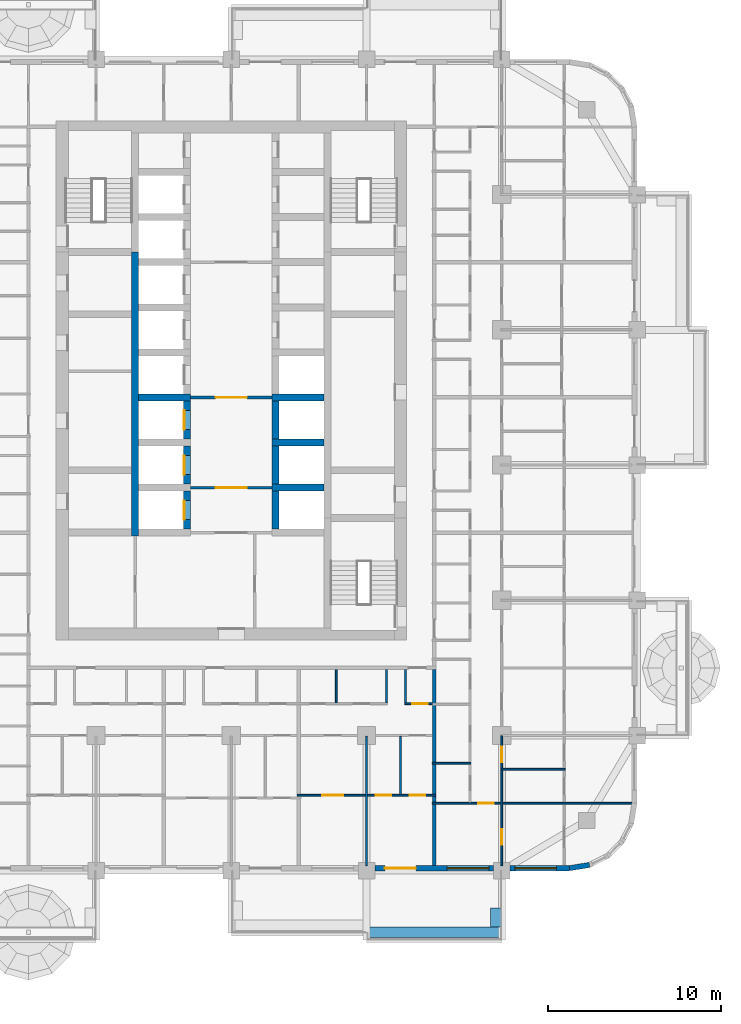
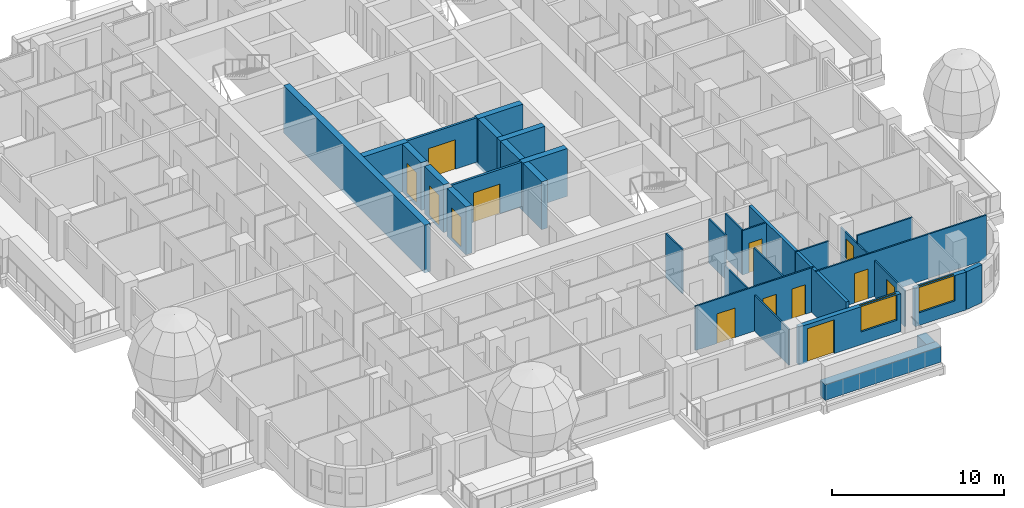
# One storey, part 7 of 19: 30 walls, 13 doors, 2 windows, 15 openings.
"""IFC4 building model written with IfcOpenShell, lengths in metres."""

import ifcopenshell
import ifcopenshell.guid

model = None  # the IFC model being written
_history = None  # IfcOwnerHistory: only IFC2X3 demands one
_inside = {}  # id of a spatial element -> (the spatial element, [elements in it])
_under = {}  # id of a project, library or spatial element -> (it, [spatial elements below it])
_declared = {}  # id of a project -> (the project, [libraries it declares])
_typed = {}  # id of a type object -> (the type object, [elements of that type])
_made_of = {}  # id of a material, layer set ... -> (it, [elements and type objects made of it])


def new_model(schema):
    """Start an empty IFC model of exactly this schema.

    Asked for "IFC4X3", IfcOpenShell would pick the latest addendum, in which some entities
    have other attributes; the version numbers below select the first issue.
    IFC2X3 requires an IfcOwnerHistory on every rooted entity: one is made here for all.
    """
    global model, _history
    if schema == "IFC4X3":
        model = ifcopenshell.file(schema_version=(4, 3, 0, 0))
    else:
        model = ifcopenshell.file(schema=schema)
    _inside.clear()
    _under.clear()
    _declared.clear()
    _typed.clear()
    _made_of.clear()
    _history = None
    if model.schema == "IFC2X3":
        org = make("IfcOrganization", Name="unknown")
        user = make(
            "IfcPersonAndOrganization",
            ThePerson=make("IfcPerson", FamilyName="unknown"),
            TheOrganization=org,
        )
        app = make(
            "IfcApplication",
            ApplicationDeveloper=org,
            Version="unknown",
            ApplicationFullName="unknown",
            ApplicationIdentifier="unknown",
        )
        _history = make(
            "IfcOwnerHistory",
            OwningUser=user,
            OwningApplication=app,
            ChangeAction="ADDED",
            CreationDate=0,
        )
    return model


def make(cls, **values):
    """One entity of the class cls with the attributes given. An attribute that is None is left unset."""
    return model.create_entity(
        cls, **{name: value for name, value in values.items() if value is not None}
    )


def rooted(cls, **values):
    """An entity with a GlobalId (a new one), such as an element, a storey or a relation."""
    return make(cls, GlobalId=ifcopenshell.guid.new(), OwnerHistory=_history, **values)


def si_unit(unit_type, name, prefix=None):
    """IfcSIUnit, for example si_unit("LENGTHUNIT", "METRE", prefix="MILLI")."""
    return make("IfcSIUnit", UnitType=unit_type, Prefix=prefix, Name=name)


def assignment(units):
    """IfcUnitAssignment: the units of a project."""
    return None if units is None else make("IfcUnitAssignment", Units=units)


def point(xyz):
    """IfcCartesianPoint."""
    return None if xyz is None else make("IfcCartesianPoint", Coordinates=xyz)


def direction(xyz):
    """IfcDirection."""
    return None if xyz is None else make("IfcDirection", DirectionRatios=xyz)


def frame(location, z_axis=None, x_axis=None):
    """IfcAxis2Placement3D, a coordinate frame: its origin and axes. An axis left out is left unset."""
    return make(
        "IfcAxis2Placement3D",
        Location=point(location),
        Axis=direction(z_axis),
        RefDirection=direction(x_axis),
    )


def frame_2d(location, x_axis=None):
    """IfcAxis2Placement2D, a coordinate frame in the plane: its origin and x axis."""
    return make(
        "IfcAxis2Placement2D", Location=point(location), RefDirection=direction(x_axis)
    )


def origin():
    """The frame at (0, 0, 0) with its axes left unset."""
    return frame((0.0, 0.0, 0.0))


def place(relative_to, where):
    """IfcLocalPlacement: puts the frame where relative to a parent placement (None: the world)."""
    return make(
        "IfcLocalPlacement", PlacementRelTo=relative_to, RelativePlacement=where
    )


def context(
    kind, dimensions, precision=None, world=None, true_north=None, identifier=None
):
    """IfcGeometricRepresentationContext, for example the 3D "Model" context."""
    return make(
        "IfcGeometricRepresentationContext",
        ContextIdentifier=identifier,
        ContextType=kind,
        CoordinateSpaceDimension=dimensions,
        Precision=precision,
        WorldCoordinateSystem=world,
        TrueNorth=true_north,
    )


def subcontext(parent, identifier, kind, view, scale=None):
    """IfcGeometricRepresentationSubContext, for example "Body" below "Model"."""
    return make(
        "IfcGeometricRepresentationSubContext",
        ContextIdentifier=identifier,
        ContextType=kind,
        ParentContext=parent,
        TargetScale=scale,
        TargetView=view,
    )


def project(units=None, contexts=None):
    """IfcProject with its units and contexts."""
    return rooted(
        "IfcProject",
        Name="project",
        RepresentationContexts=contexts,
        UnitsInContext=assignment(units),
    )


def spatial(cls, under=None, at=None, **own):
    """A site, building, storey or space (cls), placed at a placement, below another one or the project."""
    s = rooted(cls, ObjectPlacement=at, **own)
    if under is not None:
        _under.setdefault(under.id(), (under, []))[1].append(s)
    return s


def profile(cls, at=None, kind="AREA", **sizes):
    """A parametric profile (cls). Its sizes go by their IFC names, for example OverallWidth=200.0."""
    return make(cls, ProfileType=kind, Position=at, **sizes)


def rectangle(**sizes):
    """IfcRectangleProfileDef."""
    return profile("IfcRectangleProfileDef", **sizes)


def extrude(swept, where, along, depth):
    """IfcExtrudedAreaSolid: the profile swept, set in the frame where, extruded along a direction by depth."""
    return make(
        "IfcExtrudedAreaSolid",
        SweptArea=swept,
        Position=where,
        ExtrudedDirection=direction(along),
        Depth=depth,
    )


def shape(context_of_items, identifier, shape_type, items):
    """IfcShapeRepresentation: the items that make up one representation, for example the "Body"."""
    return make(
        "IfcShapeRepresentation",
        ContextOfItems=context_of_items,
        RepresentationIdentifier=identifier,
        RepresentationType=shape_type,
        Items=items,
    )


def material(Name=None, Category=None):
    """IfcMaterial."""
    return make("IfcMaterial", Name=Name, Category=Category)


def layer(
    of_material, thickness, ventilated=None, Name=None, Category=None, Priority=None
):
    """IfcMaterialLayer: one layer of a wall or slab, of a material (None: an air gap)."""
    return make(
        "IfcMaterialLayer",
        Material=of_material,
        LayerThickness=thickness,
        IsVentilated=ventilated,
        Name=Name,
        Category=Category,
        Priority=Priority,
    )


def layer_set(layers, Name=None):
    """IfcMaterialLayerSet."""
    return make("IfcMaterialLayerSet", MaterialLayers=layers, LayerSetName=Name)


def made_of(thing, what):
    """Note that an element or type object is made of a material, layer set ...; save() writes the relation."""
    if what is not None:
        _made_of.setdefault(what.id(), (what, []))[1].append(thing)
    return thing


def type_object(cls, material=None, **own):
    """A type object (cls), such as IfcWallType, which elements share."""
    return made_of(rooted(cls, **own), material)


def element(
    cls,
    number,
    at=None,
    inside=None,
    cuts=None,
    type_object=None,
    material=None,
    context=None,
    identifier="Body",
    shape_type=None,
    held_by="IfcProductDefinitionShape",
    body=None,
    shapes=None,
    **own,
):
    """One element of the class cls, such as IfcWall. Its Tag is "e" and its number.

    at: its placement. inside: the storey or other place that contains it. cuts: it is an
    opening in that element (IfcRelVoidsElement). A single representation is given by context,
    identifier, shape_type and body (its items); several are given by shapes. held_by: the class
    of the entity that holds the representations. save() writes the other relations.
    """
    e = rooted(cls, Tag="e%d" % number, ObjectPlacement=at, **own)
    if body is not None:
        shapes = [shape(context, identifier, shape_type, body)]
    if shapes is not None:
        e.Representation = make(held_by, Representations=shapes)
    if inside is not None:
        _inside.setdefault(inside.id(), (inside, []))[1].append(e)
    if cuts is not None:
        rooted(
            "IfcRelVoidsElement", RelatingBuildingElement=cuts, RelatedOpeningElement=e
        )
    if type_object is not None:
        _typed.setdefault(type_object.id(), (type_object, []))[1].append(e)
    return made_of(e, material)


def fill(opening, filler):
    """IfcRelFillsElement: the door or window that sits in an opening."""
    return rooted(
        "IfcRelFillsElement",
        RelatingOpeningElement=opening,
        RelatedBuildingElement=filler,
    )


def aggregate(whole, parts):
    """IfcRelAggregates: a whole, such as a stair, and the parts it consists of."""
    return rooted("IfcRelAggregates", RelatingObject=whole, RelatedObjects=parts)


def save(model, path):
    """Write the relations noted so far, then the file.

    IfcRelAggregates (storeys below a building ...), IfcRelContainedInSpatialStructure (elements
    in a storey), IfcRelDefinesByType, IfcRelAssociatesMaterial and IfcRelDeclares: one each for
    every whole, place, type object, material and project.
    """
    for whole, parts in _under.values():
        aggregate(whole, parts)
    for where, things in _inside.values():
        rooted(
            "IfcRelContainedInSpatialStructure",
            RelatedElements=things,
            RelatingStructure=where,
        )
    for kind, things in _typed.values():
        rooted("IfcRelDefinesByType", RelatedObjects=things, RelatingType=kind)
    for what, things in _made_of.values():
        rooted("IfcRelAssociatesMaterial", RelatedObjects=things, RelatingMaterial=what)
    for by, libraries in _declared.values():
        rooted("IfcRelDeclares", RelatingContext=by, RelatedDefinitions=libraries)
    model.write(path)


model = new_model("IFC4")

# Units and contexts
model_context = context("Model", 3, precision=1e-05, world=origin(), true_north=direction((0.0, 1.0)))
body_context = subcontext(model_context, "Body", "Model", "MODEL_VIEW")
ifc_project = project(units=[si_unit("LENGTHUNIT", "METRE"), si_unit("AREAUNIT", "SQUARE_METRE"), si_unit("VOLUMEUNIT", "CUBIC_METRE"), si_unit("PLANEANGLEUNIT", "RADIAN"), si_unit("MASSUNIT", "GRAM", prefix="KILO")], contexts=[model_context])

# Site, building, storey
site_placement = place(None, origin())
site = spatial("IfcSite", under=ifc_project, at=site_placement, CompositionType="ELEMENT")
building_placement = place(site_placement, origin())
building = spatial("IfcBuilding", under=site, at=building_placement, Name="Ludao Terraces", CompositionType="ELEMENT")
storey_placement = place(building_placement, frame((0.0, 0.0, 81.800048828125)))
storey = spatial("IfcBuildingStorey", under=building, at=storey_placement, Name="L22", CompositionType="ELEMENT", Elevation=81.800048828125)

# Walls
ifc_material_1 = material(Name="Concrete C40", Category="concrete")
ifc_layer_1 = layer(ifc_material_1, 0.60009765625)
ifc_layer_set_1 = layer_set([ifc_layer_1], Name="ENV Planter trough 600")
wall_type_1 = type_object("IfcWallType", Name="ENV Planter trough 600", PredefinedType="USERDEFINED", material=ifc_layer_set_1)
wall_1_placement = place(storey_placement, frame((92.800048828125, 38.050048828125, 0.0), z_axis=(0.0, 0.0, 1.0), x_axis=(1.0, 0.0, 0.0)))
element("IfcWall", 1, at=wall_1_placement, inside=storey, type_object=wall_type_1, Name="PL-L22-S4", ObjectType="PLANTER", PredefinedType="USERDEFINED", context=body_context, shape_type="SweptSolid", body=[
    extrude(rectangle(XDim=7.800048828125, YDim=0.60009765625, at=frame_2d((3.89990234375, 0.0))), origin(), (0.0, 0.0, 1.0), 1.099853515625),
])
wall_2_placement = place(storey_placement, frame((100.25, 38.35009765625, 0.0), z_axis=(0.0, 0.0, 1.0), x_axis=(0.0, 1.0, 0.0)))
element("IfcWall", 2, at=wall_2_placement, inside=storey, type_object=wall_type_1, Name="PL-L22-S4-SB", ObjectType="PLANTER", PredefinedType="USERDEFINED", context=body_context, shape_type="SweptSolid", body=[
    extrude(rectangle(XDim=1.099853515625, YDim=0.60009765625, at=frame_2d((0.5498046875, 0.0))), origin(), (0.0, 0.0, 1.0), 1.099853515625),
])

# Wall, openings, door, window
ifc_material_2 = material(Name="Granite cladding", Category="masonry")
ifc_layer_2 = layer(ifc_material_2, 0.0400390625, Category="stone")
ifc_material_3 = material(Name="Mineral wool")
ifc_layer_3 = layer(ifc_material_3, 0.06005859375)
ifc_layer_4 = layer(ifc_material_1, 0.199951171875, Category="concrete")
ifc_layer_set_2 = layer_set([ifc_layer_2, ifc_layer_3, ifc_layer_4], Name="ENV Stone-clad wall 300")
wall_type_2 = type_object("IfcWallType", Name="ENV Stone-clad wall 300", PredefinedType="SOLIDWALL", material=ifc_layer_set_2)
wall_3_placement = place(storey_placement, frame((93.27490234375, 41.75, 0.0), z_axis=(0.0, 0.0, 1.0), x_axis=(1.0, 0.0, 0.0)))
wall_3 = element("IfcWall", 3, at=wall_3_placement, inside=storey, type_object=wall_type_2, Name="EW-L22-S5", PredefinedType="SOLIDWALL", context=body_context, shape_type="SweptSolid", body=[
    extrude(rectangle(XDim=6.85009765625, YDim=0.300048828125, at=frame_2d((3.425048828125, 0.0))), origin(), (0.0, 0.0, 1.0), 2.699951171875),
])
opening_1_placement = place(wall_3_placement, frame((0.574951171875, 0.0, 0.0)))
opening_1 = element("IfcOpeningElement", 4, at=opening_1_placement, cuts=wall_3, Name="Opening BD", PredefinedType="OPENING", context=body_context, shape_type="SweptSolid", body=[
    extrude(rectangle(XDim=1.800048828125, YDim=2.39990234375, at=frame_2d((0.89990234375, 1.199951171875))), frame((0.0, 0.16015625, 0.0), z_axis=(0.0, -1.0, 0.0), x_axis=(1.0, 0.0, 0.0)), (0.0, 0.0, 1.0), 0.320068359375),
])
opening_2_placement = place(wall_3_placement, frame((4.175048828125, 0.0, 0.89990234375)))
opening_2 = element("IfcOpeningElement", 5, at=opening_2_placement, cuts=wall_3, Name="Opening W1", PredefinedType="OPENING", context=body_context, shape_type="SweptSolid", body=[
    extrude(rectangle(XDim=2.39990234375, YDim=1.800048828125, at=frame_2d((1.199951171875, 0.89990234375))), frame((0.0, 0.16015625, 0.0), z_axis=(0.0, -1.0, 0.0), x_axis=(1.0, 0.0, 0.0)), (0.0, 0.0, 1.0), 0.320068359375),
])
ifc_material_4 = material(Name="Aluminium glazed door", Category="aluminium")
ifc_layer_5 = layer(ifc_material_4, 0.06005859375)
ifc_layer_set_3 = layer_set([ifc_layer_5], Name="ENV Balcony door BD 1800x2400")
door_type_1 = type_object("IfcDoorType", Name="ENV Balcony door BD 1800x2400", OperationType="DOUBLE_DOOR_SINGLE_SWING", PredefinedType="DOOR", material=ifc_layer_set_3)
door_1_placement = place(opening_1_placement, origin())
door_1 = element("IfcDoor", 6, at=door_1_placement, inside=storey, type_object=door_type_1, Name="BD-L22-S5-1", OperationType="DOUBLE_DOOR_SINGLE_SWING", OverallHeight=2.39990234375, OverallWidth=1.800048828125, PredefinedType="DOOR", context=body_context, shape_type="SweptSolid", body=[
    extrude(rectangle(XDim=1.800048828125, YDim=2.39990234375, at=frame_2d((0.89990234375, 1.199951171875))), frame((0.0, 0.02490234375, 0.0), z_axis=(0.0, -1.0, 0.0), x_axis=(1.0, 0.0, 0.0)), (0.0, 0.0, 1.0), 0.050048828125),
])
fill(opening_1, door_1)
ifc_material_5 = material(Name="Clear glass in aluminium frame", Category="aluminium")
ifc_layer_6 = layer(ifc_material_5, 0.06005859375)
ifc_layer_set_4 = layer_set([ifc_layer_6], Name="ENV Window W1 2400x1800")
window_type = type_object("IfcWindowType", Name="ENV Window W1 2400x1800", PartitioningType="DOUBLE_PANEL_VERTICAL", PredefinedType="WINDOW", material=ifc_layer_set_4)
window_1_placement = place(opening_2_placement, origin())
window_1 = element("IfcWindow", 7, at=window_1_placement, inside=storey, type_object=window_type, Name="W-L22-S5-2", OverallHeight=1.800048828125, OverallWidth=2.39990234375, PartitioningType="DOUBLE_PANEL_VERTICAL", PredefinedType="WINDOW", context=body_context, shape_type="SweptSolid", body=[
    extrude(rectangle(XDim=2.39990234375, YDim=1.800048828125, at=frame_2d((1.199951171875, 0.89990234375))), frame((0.0, 0.030029296875, 0.0), z_axis=(0.0, -1.0, 0.0), x_axis=(1.0, 0.0, 0.0)), (0.0, 0.0, 1.0), 0.06005859375),
])
fill(opening_2, window_1)

# Wall, opening, window
wall_4_placement = place(storey_placement, frame((101.074951171875, 41.75, 0.0), z_axis=(0.0, 0.0, 1.0), x_axis=(1.0, 0.0, 0.0)))
wall_4 = element("IfcWall", 8, at=wall_4_placement, inside=storey, type_object=wall_type_2, Name="EW-L22-S6", PredefinedType="SOLIDWALL", context=body_context, shape_type="SweptSolid", body=[
    extrude(rectangle(XDim=3.425048828125, YDim=0.300048828125, at=frame_2d((1.71240234375, 0.0))), origin(), (0.0, 0.0, 1.0), 2.699951171875),
])
opening_3_placement = place(wall_4_placement, frame((0.27490234375, 0.0, 0.89990234375)))
opening_3 = element("IfcOpeningElement", 9, at=opening_3_placement, cuts=wall_4, Name="Opening W1", PredefinedType="OPENING", context=body_context, shape_type="SweptSolid", body=[
    extrude(rectangle(XDim=2.39990234375, YDim=1.800048828125, at=frame_2d((1.199951171875, 0.89990234375))), frame((0.0, 0.16015625, 0.0), z_axis=(0.0, -1.0, 0.0), x_axis=(1.0, 0.0, 0.0)), (0.0, 0.0, 1.0), 0.320068359375),
])
window_2_placement = place(opening_3_placement, origin())
window_2 = element("IfcWindow", 10, at=window_2_placement, inside=storey, type_object=window_type, Name="W-L22-S6-1", OverallHeight=1.800048828125, OverallWidth=2.39990234375, PartitioningType="DOUBLE_PANEL_VERTICAL", PredefinedType="WINDOW", context=body_context, shape_type="SweptSolid", body=[
    extrude(rectangle(XDim=2.39990234375, YDim=1.800048828125, at=frame_2d((1.199951171875, 0.89990234375))), frame((0.0, 0.030029296875, 0.0), z_axis=(0.0, -1.0, 0.0), x_axis=(1.0, 0.0, 0.0)), (0.0, 0.0, 1.0), 0.06005859375),
])
fill(opening_3, window_2)

# Wall
wall_5_placement = place(storey_placement, frame((104.5, 41.75, 0.0), z_axis=(0.0, 0.0, 1.0), x_axis=(0.987678452879, 0.156496880861, 0.0)))
element("IfcWall", 11, at=wall_5_placement, inside=storey, type_object=wall_type_2, Name="EW-L22-SE1", PredefinedType="SOLIDWALL", context=body_context, shape_type="SweptSolid", body=[
    extrude(rectangle(XDim=1.173095703125, YDim=0.300048828125, at=frame_2d((0.58642578125, 0.0))), origin(), (0.0, 0.0, 1.0), 2.699951171875),
])

# Wall, opening, door
ifc_material_6 = material(Name="Fire-rated gypsum plasterboard", Category="gypsum")
ifc_layer_7 = layer(ifc_material_6, 0.012451171875, Category="gypsum")
ifc_layer_8 = layer(ifc_material_3, 0.10009765625, Name="insulation")
ifc_material_7 = material(Name="Steel Q235", Category="steel")
ifc_layer_9 = layer(ifc_material_7, 0.02490234375, Name="stud")
ifc_layer_10 = layer(ifc_material_6, 0.012451171875, Category="gypsum")
ifc_layer_set_5 = layer_set([ifc_layer_7, ifc_layer_8, ifc_layer_9, ifc_layer_10], Name="INT Core partition 150")
wall_type_3 = type_object("IfcWallType", Name="INT Core partition 150", PredefinedType="PARTITIONING", material=ifc_layer_set_5)
wall_6_placement = place(storey_placement, frame((82.650146484375, 63.699951171875, 0.0), z_axis=(0.0, 0.0, 1.0), x_axis=(1.0, 0.0, 0.0)))
wall_6 = element("IfcWall", 12, at=wall_6_placement, inside=storey, type_object=wall_type_3, Name="PW-L22-PW039", PredefinedType="PARTITIONING", context=body_context, shape_type="SweptSolid", body=[
    extrude(rectangle(XDim=4.699951171875, YDim=0.14990234375, at=frame_2d((2.35009765625, 0.0))), origin(), (0.0, 0.0, 1.0), 3.14990234375),
])
opening_4_placement = place(wall_6_placement, frame((1.449951171875, 0.0, 0.0)))
opening_4 = element("IfcOpeningElement", 13, at=opening_4_placement, cuts=wall_6, Name="Opening R06-082", PredefinedType="OPENING", context=body_context, shape_type="SweptSolid", body=[
    extrude(rectangle(XDim=1.800048828125, YDim=2.10009765625, at=frame_2d((0.89990234375, 1.050048828125))), frame((0.0, 0.0849609375, 0.0), z_axis=(0.0, -1.0, 0.0), x_axis=(1.0, 0.0, 0.0)), (0.0, 0.0, 1.0), 0.169921875),
])
door_type_2 = type_object("IfcDoorType", Name="INT Fire lobby door 1800", OperationType="DOUBLE_DOOR_SINGLE_SWING", PredefinedType="DOOR", material=ifc_material_7)
door_2_placement = place(opening_4_placement, origin())
door_2 = element("IfcDoor", 14, at=door_2_placement, inside=storey, type_object=door_type_2, Name="DOOR 082", OperationType="DOUBLE_DOOR_SINGLE_SWING", OverallHeight=2.10009765625, OverallWidth=1.800048828125, PredefinedType="DOOR", context=body_context, shape_type="SweptSolid", body=[
    extrude(rectangle(XDim=1.800048828125, YDim=2.10009765625, at=frame_2d((0.89990234375, 1.050048828125))), frame((0.0, 0.02490234375, 0.0), z_axis=(0.0, -1.0, 0.0), x_axis=(1.0, 0.0, 0.0)), (0.0, 0.0, 1.0), 0.050048828125),
])
fill(opening_4, door_2)

wall_7_placement = place(storey_placement, frame((82.650146484375, 68.89990234375, 0.0), z_axis=(0.0, 0.0, 1.0), x_axis=(1.0, 0.0, 0.0)))
wall_7 = element("IfcWall", 15, at=wall_7_placement, inside=storey, type_object=wall_type_3, Name="PW-L22-PW048", PredefinedType="PARTITIONING", context=body_context, shape_type="SweptSolid", body=[
    extrude(rectangle(XDim=4.699951171875, YDim=0.14990234375, at=frame_2d((2.35009765625, 0.0))), origin(), (0.0, 0.0, 1.0), 3.14990234375),
])
opening_5_placement = place(wall_7_placement, frame((1.449951171875, 0.0, 0.0)))
opening_5 = element("IfcOpeningElement", 16, at=opening_5_placement, cuts=wall_7, Name="Opening R06-098", PredefinedType="OPENING", context=body_context, shape_type="SweptSolid", body=[
    extrude(rectangle(XDim=1.800048828125, YDim=2.10009765625, at=frame_2d((0.89990234375, 1.050048828125))), frame((0.0, 0.0849609375, 0.0), z_axis=(0.0, -1.0, 0.0), x_axis=(1.0, 0.0, 0.0)), (0.0, 0.0, 1.0), 0.169921875),
])
door_3_placement = place(opening_5_placement, origin())
door_3 = element("IfcDoor", 17, at=door_3_placement, inside=storey, type_object=door_type_2, Name="DOOR 098", OperationType="DOUBLE_DOOR_SINGLE_SWING", OverallHeight=2.10009765625, OverallWidth=1.800048828125, PredefinedType="DOOR", context=body_context, shape_type="SweptSolid", body=[
    extrude(rectangle(XDim=1.800048828125, YDim=2.10009765625, at=frame_2d((0.89990234375, 1.050048828125))), frame((0.0, 0.02490234375, 0.0), z_axis=(0.0, -1.0, 0.0), x_axis=(1.0, 0.0, 0.0)), (0.0, 0.0, 1.0), 0.050048828125),
])
fill(opening_5, door_3)

ifc_material_8 = material(Name="Gypsum plasterboard", Category="gypsum")
ifc_layer_11 = layer(ifc_material_8, 0.012451171875, Category="gypsum")
ifc_layer_12 = layer(ifc_material_3, 0.06005859375, Name="insulation")
ifc_layer_13 = layer(ifc_material_7, 0.014892578125, Name="stud")
ifc_layer_14 = layer(ifc_material_8, 0.012451171875, Category="gypsum")
ifc_layer_set_6 = layer_set([ifc_layer_11, ifc_layer_12, ifc_layer_13, ifc_layer_14], Name="INT Partition 100")
wall_type_4 = type_object("IfcWallType", Name="INT Partition 100", PredefinedType="PARTITIONING", material=ifc_layer_set_6)
wall_8_placement = place(storey_placement, frame((96.60009765625, 45.5, 0.0), z_axis=(0.0, 0.0, 1.0), x_axis=(1.0, 0.0, 0.0)))
wall_8 = element("IfcWall", 18, at=wall_8_placement, inside=storey, type_object=wall_type_4, Name="PW-L22-PW001", PredefinedType="PARTITIONING", context=body_context, shape_type="SweptSolid", body=[
    extrude(rectangle(XDim=11.5, YDim=0.10009765625, at=frame_2d((5.75, 0.0))), origin(), (0.0, 0.0, 1.0), 3.14990234375),
])
opening_6_placement = place(wall_8_placement, frame((2.635009765625, 0.0, 0.0)))
opening_6 = element("IfcOpeningElement", 19, at=opening_6_placement, cuts=wall_8, Name="Opening R06-006", PredefinedType="OPENING", context=body_context, shape_type="SweptSolid", body=[
    extrude(rectangle(XDim=0.89990234375, YDim=2.10009765625, at=frame_2d((0.449951171875, 1.050048828125))), frame((0.0, 0.06005859375, 0.0), z_axis=(0.0, -1.0, 0.0), x_axis=(1.0, 0.0, 0.0)), (0.0, 0.0, 1.0), 0.1201171875),
])
ifc_material_9 = material(Name="Timber door leaf", Category="wood")
door_type_3 = type_object("IfcDoorType", Name="INT Room door 900", OperationType="SINGLE_SWING_LEFT", PredefinedType="DOOR", material=ifc_material_9)
door_4_placement = place(opening_6_placement, origin())
door_4 = element("IfcDoor", 20, at=door_4_placement, inside=storey, type_object=door_type_3, Name="DOOR 006", OperationType="SINGLE_SWING_RIGHT", OverallHeight=2.10009765625, OverallWidth=0.89990234375, PredefinedType="DOOR", context=body_context, shape_type="SweptSolid", body=[
    extrude(rectangle(XDim=0.89990234375, YDim=2.10009765625, at=frame_2d((0.449951171875, 1.050048828125))), frame((0.0, 0.02490234375, 0.0), z_axis=(0.0, -1.0, 0.0), x_axis=(1.0, 0.0, 0.0)), (0.0, 0.0, 1.0), 0.050048828125),
])
fill(opening_6, door_4)

# Wall, openings, doors
wall_9_placement = place(storey_placement, frame((88.800048828125, 45.949951171875, 0.0), z_axis=(0.0, 0.0, 1.0), x_axis=(1.0, 0.0, 0.0)))
wall_9 = element("IfcWall", 21, at=wall_9_placement, inside=storey, type_object=wall_type_4, Name="PW-L22-PW004", PredefinedType="PARTITIONING", context=body_context, shape_type="SweptSolid", body=[
    extrude(rectangle(XDim=8.0, YDim=0.10009765625, at=frame_2d((4.0, 0.0))), origin(), (0.0, 0.0, 1.0), 3.14990234375),
])
opening_7_placement = place(wall_9_placement, frame((1.449951171875, 0.0, 0.0)))
opening_7 = element("IfcOpeningElement", 22, at=opening_7_placement, cuts=wall_9, Name="Opening R06-013", PredefinedType="OPENING", context=body_context, shape_type="SweptSolid", body=[
    extrude(rectangle(XDim=1.199951171875, YDim=2.10009765625, at=frame_2d((0.60009765625, 1.050048828125))), frame((0.0, 0.06005859375, 0.0), z_axis=(0.0, -1.0, 0.0), x_axis=(1.0, 0.0, 0.0)), (0.0, 0.0, 1.0), 0.1201171875),
])
opening_8_placement = place(wall_9_placement, frame((4.52490234375, 0.0, 0.0)))
opening_8 = element("IfcOpeningElement", 23, at=opening_8_placement, cuts=wall_9, Name="Opening R06-014", PredefinedType="OPENING", context=body_context, shape_type="SweptSolid", body=[
    extrude(rectangle(XDim=0.89990234375, YDim=2.10009765625, at=frame_2d((0.449951171875, 1.050048828125))), frame((0.0, 0.06005859375, 0.0), z_axis=(0.0, -1.0, 0.0), x_axis=(1.0, 0.0, 0.0)), (0.0, 0.0, 1.0), 0.1201171875),
])
opening_9_placement = place(wall_9_placement, frame((6.47509765625, 0.0, 0.0)))
opening_9 = element("IfcOpeningElement", 24, at=opening_9_placement, cuts=wall_9, Name="Opening R06-015", PredefinedType="OPENING", context=body_context, shape_type="SweptSolid", body=[
    extrude(rectangle(XDim=0.89990234375, YDim=2.10009765625, at=frame_2d((0.449951171875, 1.050048828125))), frame((0.0, 0.06005859375, 0.0), z_axis=(0.0, -1.0, 0.0), x_axis=(1.0, 0.0, 0.0)), (0.0, 0.0, 1.0), 0.1201171875),
])
door_type_4 = type_object("IfcDoorType", Name="INT Bathroom door 900", OperationType="SINGLE_SWING_LEFT", PredefinedType="DOOR", material=ifc_material_9)
door_5_placement = place(opening_8_placement, origin())
door_5 = element("IfcDoor", 25, at=door_5_placement, inside=storey, type_object=door_type_4, Name="DOOR 014", OperationType="SINGLE_SWING_LEFT", OverallHeight=2.10009765625, OverallWidth=0.89990234375, PredefinedType="DOOR", context=body_context, shape_type="SweptSolid", body=[
    extrude(rectangle(XDim=0.89990234375, YDim=2.10009765625, at=frame_2d((0.449951171875, 1.050048828125))), frame((0.0, 0.02490234375, 0.0), z_axis=(0.0, -1.0, 0.0), x_axis=(1.0, 0.0, 0.0)), (0.0, 0.0, 1.0), 0.050048828125),
])
fill(opening_8, door_5)
door_type_5 = type_object("IfcDoorType", Name="INT Double door 1200", OperationType="DOUBLE_DOOR_SINGLE_SWING", PredefinedType="DOOR", material=ifc_material_9)
door_6_placement = place(opening_7_placement, origin())
door_6 = element("IfcDoor", 26, at=door_6_placement, inside=storey, type_object=door_type_5, Name="DOOR 013", OperationType="DOUBLE_DOOR_SINGLE_SWING", OverallHeight=2.10009765625, OverallWidth=1.199951171875, PredefinedType="DOOR", context=body_context, shape_type="SweptSolid", body=[
    extrude(rectangle(XDim=1.199951171875, YDim=2.10009765625, at=frame_2d((0.60009765625, 1.050048828125))), frame((0.0, 0.02490234375, 0.0), z_axis=(0.0, -1.0, 0.0), x_axis=(1.0, 0.0, 0.0)), (0.0, 0.0, 1.0), 0.050048828125),
])
fill(opening_7, door_6)
door_7_placement = place(opening_9_placement, origin())
door_7 = element("IfcDoor", 27, at=door_7_placement, inside=storey, type_object=door_type_3, Name="DOOR 015", OperationType="SINGLE_SWING_RIGHT", OverallHeight=2.10009765625, OverallWidth=0.89990234375, PredefinedType="DOOR", context=body_context, shape_type="SweptSolid", body=[
    extrude(rectangle(XDim=0.89990234375, YDim=2.10009765625, at=frame_2d((0.449951171875, 1.050048828125))), frame((0.0, 0.02490234375, 0.0), z_axis=(0.0, -1.0, 0.0), x_axis=(1.0, 0.0, 0.0)), (0.0, 0.0, 1.0), 0.050048828125),
])
fill(opening_9, door_7)

# Walls
wall_10_placement = place(storey_placement, frame((100.550048828125, 47.449951171875, 0.0), z_axis=(0.0, 0.0, 1.0), x_axis=(1.0, 0.0, 0.0)))
element("IfcWall", 28, at=wall_10_placement, inside=storey, type_object=wall_type_4, Name="PW-L22-PW005", PredefinedType="PARTITIONING", context=body_context, shape_type="SweptSolid", body=[
    extrude(rectangle(XDim=3.699951171875, YDim=0.10009765625, at=frame_2d((1.85009765625, 0.0))), origin(), (0.0, 0.0, 1.0), 3.14990234375),
])
wall_11_placement = place(storey_placement, frame((96.60009765625, 47.800048828125, 0.0), z_axis=(0.0, 0.0, 1.0), x_axis=(1.0, 0.0, 0.0)))
element("IfcWall", 29, at=wall_11_placement, inside=storey, type_object=wall_type_4, Name="PW-L22-PW007", PredefinedType="PARTITIONING", context=body_context, shape_type="SweptSolid", body=[
    extrude(rectangle(XDim=2.219970703125, YDim=0.10009765625, at=frame_2d((1.10986328125, 0.0))), origin(), (0.0, 0.0, 1.0), 3.14990234375),
])

# Wall, opening, door
wall_12_placement = place(storey_placement, frame((95.0, 51.22998046875, 0.0), z_axis=(0.0, 0.0, 1.0), x_axis=(1.0, 0.0, 0.0)))
wall_12 = element("IfcWall", 30, at=wall_12_placement, inside=storey, type_object=wall_type_4, Name="PW-L22-PW016", PredefinedType="PARTITIONING", context=body_context, shape_type="SweptSolid", body=[
    extrude(rectangle(XDim=1.60009765625, YDim=0.10009765625, at=frame_2d((0.800048828125, 0.0))), origin(), (0.0, 0.0, 1.0), 3.14990234375),
])
opening_10_placement = place(wall_12_placement, frame((0.425048828125, 0.0, 0.0)))
opening_10 = element("IfcOpeningElement", 31, at=opening_10_placement, cuts=wall_12, Name="Opening R06-041", PredefinedType="OPENING", context=body_context, shape_type="SweptSolid", body=[
    extrude(rectangle(XDim=0.89990234375, YDim=2.10009765625, at=frame_2d((0.449951171875, 1.050048828125))), frame((0.0, 0.06005859375, 0.0), z_axis=(0.0, -1.0, 0.0), x_axis=(1.0, 0.0, 0.0)), (0.0, 0.0, 1.0), 0.1201171875),
])
door_8_placement = place(opening_10_placement, origin())
door_8 = element("IfcDoor", 32, at=door_8_placement, inside=storey, type_object=door_type_4, Name="DOOR 041", OperationType="SINGLE_SWING_LEFT", OverallHeight=2.10009765625, OverallWidth=0.89990234375, PredefinedType="DOOR", context=body_context, shape_type="SweptSolid", body=[
    extrude(rectangle(XDim=0.89990234375, YDim=2.10009765625, at=frame_2d((0.449951171875, 1.050048828125))), frame((0.0, 0.02490234375, 0.0), z_axis=(0.0, -1.0, 0.0), x_axis=(1.0, 0.0, 0.0)), (0.0, 0.0, 1.0), 0.050048828125),
])
fill(opening_10, door_8)

# Walls
wall_13_placement = place(storey_placement, frame((91.050048828125, 51.280029296875, 0.0), z_axis=(0.0, 0.0, 1.0), x_axis=(0.0, 1.0, 0.0)))
element("IfcWall", 33, at=wall_13_placement, inside=storey, type_object=wall_type_4, Name="PW-L22-PW109", PredefinedType="PARTITIONING", context=body_context, shape_type="SweptSolid", body=[
    extrude(rectangle(XDim=1.920166015625, YDim=0.10009765625, at=frame_2d((0.9599609375, 0.0))), origin(), (0.0, 0.0, 1.0), 3.14990234375),
])
wall_14_placement = place(storey_placement, frame((92.800048828125, 41.900146484375, 0.0), z_axis=(0.0, 0.0, 1.0), x_axis=(0.0, 1.0, 0.0)))
element("IfcWall", 34, at=wall_14_placement, inside=storey, type_object=wall_type_4, Name="PW-L22-PW110", PredefinedType="PARTITIONING", context=body_context, shape_type="SweptSolid", body=[
    extrude(rectangle(XDim=7.449951171875, YDim=0.10009765625, at=frame_2d((3.72509765625, 0.0))), origin(), (0.0, 0.0, 1.0), 2.5498046875),
])
wall_15_placement = place(storey_placement, frame((93.949951171875, 51.280029296875, 0.0), z_axis=(0.0, 0.0, 1.0), x_axis=(0.0, 1.0, 0.0)))
element("IfcWall", 35, at=wall_15_placement, inside=storey, type_object=wall_type_4, Name="PW-L22-PW112", PredefinedType="PARTITIONING", context=body_context, shape_type="SweptSolid", body=[
    extrude(rectangle(XDim=1.920166015625, YDim=0.10009765625, at=frame_2d((0.9599609375, 0.0))), origin(), (0.0, 0.0, 1.0), 3.14990234375),
])
wall_16_placement = place(storey_placement, frame((94.75, 46.0, 0.0), z_axis=(0.0, 0.0, 1.0), x_axis=(0.0, 1.0, 0.0)))
element("IfcWall", 36, at=wall_16_placement, inside=storey, type_object=wall_type_4, Name="PW-L22-PW113", PredefinedType="PARTITIONING", context=body_context, shape_type="SweptSolid", body=[
    extrude(rectangle(XDim=3.35009765625, YDim=0.10009765625, at=frame_2d((1.675048828125, 0.0))), origin(), (0.0, 0.0, 1.0), 3.14990234375),
])
wall_17_placement = place(storey_placement, frame((95.050048828125, 51.280029296875, 0.0), z_axis=(0.0, 0.0, 1.0), x_axis=(0.0, 1.0, 0.0)))
element("IfcWall", 37, at=wall_17_placement, inside=storey, type_object=wall_type_4, Name="PW-L22-PW114", PredefinedType="PARTITIONING", context=body_context, shape_type="SweptSolid", body=[
    extrude(rectangle(XDim=1.920166015625, YDim=0.10009765625, at=frame_2d((0.9599609375, 0.0))), origin(), (0.0, 0.0, 1.0), 3.14990234375),
])

# Wall, openings, doors
wall_18_placement = place(storey_placement, frame((100.60009765625, 41.900146484375, 0.0), z_axis=(0.0, 0.0, 1.0), x_axis=(0.0, 1.0, 0.0)))
wall_18 = element("IfcWall", 38, at=wall_18_placement, inside=storey, type_object=wall_type_4, Name="PW-L22-PW123", PredefinedType="PARTITIONING", context=body_context, shape_type="SweptSolid", body=[
    extrude(rectangle(XDim=7.499755859375, YDim=0.10009765625, at=frame_2d((3.75, 0.0))), origin(), (0.0, 0.0, 1.0), 2.5498046875),
])
opening_11_placement = place(wall_18_placement, frame((1.199951171875, 0.0, 0.0)))
opening_11 = element("IfcOpeningElement", 39, at=opening_11_placement, cuts=wall_18, Name="Opening R06-003", PredefinedType="OPENING", context=body_context, shape_type="SweptSolid", body=[
    extrude(rectangle(XDim=0.89990234375, YDim=2.10009765625, at=frame_2d((0.449951171875, 1.050048828125))), frame((0.0, 0.06005859375, 0.0), z_axis=(0.0, -1.0, 0.0), x_axis=(1.0, 0.0, 0.0)), (0.0, 0.0, 1.0), 0.1201171875),
])
opening_12_placement = place(wall_18_placement, frame((5.949951171875, 0.0, 0.0)))
opening_12 = element("IfcOpeningElement", 40, at=opening_12_placement, cuts=wall_18, Name="Opening R06-021", PredefinedType="OPENING", context=body_context, shape_type="SweptSolid", body=[
    extrude(rectangle(XDim=0.89990234375, YDim=2.10009765625, at=frame_2d((0.449951171875, 1.050048828125))), frame((0.0, 0.06005859375, 0.0), z_axis=(0.0, -1.0, 0.0), x_axis=(1.0, 0.0, 0.0)), (0.0, 0.0, 1.0), 0.1201171875),
])
door_9_placement = place(opening_11_placement, origin())
door_9 = element("IfcDoor", 41, at=door_9_placement, inside=storey, type_object=door_type_3, Name="DOOR 003", OperationType="SINGLE_SWING_RIGHT", OverallHeight=2.10009765625, OverallWidth=0.89990234375, PredefinedType="DOOR", context=body_context, shape_type="SweptSolid", body=[
    extrude(rectangle(XDim=0.89990234375, YDim=2.10009765625, at=frame_2d((0.449951171875, 1.050048828125))), frame((0.0, 0.02490234375, 0.0), z_axis=(0.0, -1.0, 0.0), x_axis=(1.0, 0.0, 0.0)), (0.0, 0.0, 1.0), 0.050048828125),
])
fill(opening_11, door_9)
door_10_placement = place(opening_12_placement, origin())
door_10 = element("IfcDoor", 42, at=door_10_placement, inside=storey, type_object=door_type_3, Name="DOOR 021", OperationType="SINGLE_SWING_RIGHT", OverallHeight=2.10009765625, OverallWidth=0.89990234375, PredefinedType="DOOR", context=body_context, shape_type="SweptSolid", body=[
    extrude(rectangle(XDim=0.89990234375, YDim=2.10009765625, at=frame_2d((0.449951171875, 1.050048828125))), frame((0.0, 0.02490234375, 0.0), z_axis=(0.0, -1.0, 0.0), x_axis=(1.0, 0.0, 0.0)), (0.0, 0.0, 1.0), 0.050048828125),
])
fill(opening_12, door_10)

# Walls
ifc_material_10 = material(Name="Autoclaved aerated concrete block B06 A3.5", Category="concrete")
ifc_layer_15 = layer(ifc_material_10, 0.199951171875)
ifc_layer_set_7 = layer_set([ifc_layer_15], Name="INT Party wall 200")
wall_type_5 = type_object("IfcWallType", Name="INT Party wall 200", PredefinedType="PARTITIONING", material=ifc_layer_set_7)
wall_19_placement = place(storey_placement, frame((96.699951171875, 41.900146484375, 0.0), z_axis=(0.0, 0.0, 1.0), x_axis=(0.0, 1.0, 0.0)))
element("IfcWall", 43, at=wall_19_placement, inside=storey, type_object=wall_type_5, Name="PW-L22-PW115", PredefinedType="PARTITIONING", context=body_context, shape_type="SweptSolid", body=[
    extrude(rectangle(XDim=11.300048828125, YDim=0.199951171875, at=frame_2d((5.64990234375, 0.0))), origin(), (0.0, 0.0, 1.0), 3.14990234375),
])
ifc_material_11 = material(Name="Concrete C60", Category="concrete")
ifc_layer_16 = layer(ifc_material_11, 0.39990234375)
ifc_layer_set_8 = layer_set([ifc_layer_16], Name="Shaft wall 400 C60")
wall_type_6 = type_object("IfcWallType", Name="Shaft wall 400 C60", PredefinedType="SOLIDWALL", material=ifc_layer_set_8)
wall_20_placement = place(storey_placement, frame((79.449951171875, 60.89990234375, -0.25), z_axis=(0.0, 0.0, 1.0), x_axis=(0.0, 1.0, 0.0)))
element("IfcWall", 44, at=wall_20_placement, inside=storey, type_object=wall_type_6, Name="Core wall L22 back-W", PredefinedType="SOLIDWALL", context=body_context, shape_type="SweptSolid", body=[
    extrude(rectangle(XDim=16.400146484375, YDim=0.39990234375, at=frame_2d((8.2001953125, 0.0))), origin(), (0.0, 0.0, 1.0), 3.39990234375),
])

# Wall, opening, door
wall_21_placement = place(storey_placement, frame((82.449951171875, 61.300048828125, -0.25), z_axis=(0.0, 0.0, 1.0), x_axis=(0.0, 1.0, 0.0)))
wall_21 = element("IfcWall", 45, at=wall_21_placement, inside=storey, type_object=wall_type_6, Name="Core wall L22 front-W1", PredefinedType="SOLIDWALL", context=body_context, shape_type="SweptSolid", body=[
    extrude(rectangle(XDim=2.199951171875, YDim=0.39990234375, at=frame_2d((1.10009765625, 0.0))), origin(), (0.0, 0.0, 1.0), 3.39990234375),
])
opening_13_placement = place(wall_21_placement, frame((0.550048828125, 0.0, 0.25)))
opening_13 = element("IfcOpeningElement", 46, at=opening_13_placement, cuts=wall_21, Name="Opening LD-LA1", PredefinedType="OPENING", context=body_context, shape_type="SweptSolid", body=[
    extrude(rectangle(XDim=1.10009765625, YDim=2.10009765625, at=frame_2d((0.550048828125, 1.050048828125))), frame((0.0, 0.2099609375, 0.0), z_axis=(0.0, -1.0, 0.0), x_axis=(1.0, 0.0, 0.0)), (0.0, 0.0, 1.0), 0.419921875),
])
ifc_material_12 = material(Name="Stainless steel 304", Category="steel")
door_type_6 = type_object("IfcDoorType", Name="INT Lift landing door 1100", OperationType="SLIDING_TO_LEFT", PredefinedType="DOOR", material=ifc_material_12)
door_11_placement = place(opening_13_placement, origin())
door_11 = element("IfcDoor", 47, at=door_11_placement, inside=storey, type_object=door_type_6, Name="LANDING DOOR LA1 L22", OperationType="SLIDING_TO_RIGHT", OverallHeight=2.10009765625, OverallWidth=1.10009765625, PredefinedType="DOOR", context=body_context, shape_type="SweptSolid", body=[
    extrude(rectangle(XDim=1.10009765625, YDim=2.10009765625, at=frame_2d((0.550048828125, 1.050048828125))), frame((0.0, 0.18505859375, 0.0), z_axis=(0.0, -1.0, 0.0), x_axis=(1.0, 0.0, 0.0)), (0.0, 0.0, 1.0), 0.050048828125),
])
fill(opening_13, door_11)

wall_22_placement = place(storey_placement, frame((82.449951171875, 63.89990234375, -0.25), z_axis=(0.0, 0.0, 1.0), x_axis=(0.0, 1.0, 0.0)))
wall_22 = element("IfcWall", 48, at=wall_22_placement, inside=storey, type_object=wall_type_6, Name="Core wall L22 front-W2", PredefinedType="SOLIDWALL", context=body_context, shape_type="SweptSolid", body=[
    extrude(rectangle(XDim=2.2001953125, YDim=0.39990234375, at=frame_2d((1.10009765625, 0.0))), origin(), (0.0, 0.0, 1.0), 3.39990234375),
])
opening_14_placement = place(wall_22_placement, frame((0.550048828125, 0.0, 0.25)))
opening_14 = element("IfcOpeningElement", 49, at=opening_14_placement, cuts=wall_22, Name="Opening LD-LA2", PredefinedType="OPENING", context=body_context, shape_type="SweptSolid", body=[
    extrude(rectangle(XDim=1.10009765625, YDim=2.10009765625, at=frame_2d((0.550048828125, 1.050048828125))), frame((0.0, 0.2099609375, 0.0), z_axis=(0.0, -1.0, 0.0), x_axis=(1.0, 0.0, 0.0)), (0.0, 0.0, 1.0), 0.419921875),
])
door_12_placement = place(opening_14_placement, origin())
door_12 = element("IfcDoor", 50, at=door_12_placement, inside=storey, type_object=door_type_6, Name="LANDING DOOR LA2 L22", OperationType="SLIDING_TO_RIGHT", OverallHeight=2.10009765625, OverallWidth=1.10009765625, PredefinedType="DOOR", context=body_context, shape_type="SweptSolid", body=[
    extrude(rectangle(XDim=1.10009765625, YDim=2.10009765625, at=frame_2d((0.550048828125, 1.050048828125))), frame((0.0, 0.18505859375, 0.0), z_axis=(0.0, -1.0, 0.0), x_axis=(1.0, 0.0, 0.0)), (0.0, 0.0, 1.0), 0.050048828125),
])
fill(opening_14, door_12)

wall_23_placement = place(storey_placement, frame((82.449951171875, 66.5, -0.25), z_axis=(0.0, 0.0, 1.0), x_axis=(0.0, 1.0, 0.0)))
wall_23 = element("IfcWall", 51, at=wall_23_placement, inside=storey, type_object=wall_type_6, Name="Core wall L22 front-W3", PredefinedType="SOLIDWALL", context=body_context, shape_type="SweptSolid", body=[
    extrude(rectangle(XDim=2.199951171875, YDim=0.39990234375, at=frame_2d((1.10009765625, 0.0))), origin(), (0.0, 0.0, 1.0), 3.39990234375),
])
opening_15_placement = place(wall_23_placement, frame((0.550048828125, 0.0, 0.25)))
opening_15 = element("IfcOpeningElement", 52, at=opening_15_placement, cuts=wall_23, Name="Opening LD-LA3", PredefinedType="OPENING", context=body_context, shape_type="SweptSolid", body=[
    extrude(rectangle(XDim=1.10009765625, YDim=2.10009765625, at=frame_2d((0.550048828125, 1.050048828125))), frame((0.0, 0.2099609375, 0.0), z_axis=(0.0, -1.0, 0.0), x_axis=(1.0, 0.0, 0.0)), (0.0, 0.0, 1.0), 0.419921875),
])
door_13_placement = place(opening_15_placement, origin())
door_13 = element("IfcDoor", 53, at=door_13_placement, inside=storey, type_object=door_type_6, Name="LANDING DOOR LA3 L22", OperationType="SLIDING_TO_RIGHT", OverallHeight=2.10009765625, OverallWidth=1.10009765625, PredefinedType="DOOR", context=body_context, shape_type="SweptSolid", body=[
    extrude(rectangle(XDim=1.10009765625, YDim=2.10009765625, at=frame_2d((0.550048828125, 1.050048828125))), frame((0.0, 0.18505859375, 0.0), z_axis=(0.0, -1.0, 0.0), x_axis=(1.0, 0.0, 0.0)), (0.0, 0.0, 1.0), 0.050048828125),
])
fill(opening_15, door_13)

# Walls
wall_24_placement = place(storey_placement, frame((79.64990234375, 68.89990234375, -0.25), z_axis=(0.0, 0.0, 1.0), x_axis=(1.0, 0.0, 0.0)))
element("IfcWall", 54, at=wall_24_placement, inside=storey, type_object=wall_type_6, Name="Core wall L22 div-W4", PredefinedType="SOLIDWALL", context=body_context, shape_type="SweptSolid", body=[
    extrude(rectangle(XDim=3.0, YDim=0.39990234375, at=frame_2d((1.5, 0.0))), origin(), (0.0, 0.0, 1.0), 3.39990234375),
])
wall_25_placement = place(storey_placement, frame((87.550048828125, 61.300048828125, -0.25), z_axis=(0.0, 0.0, 1.0), x_axis=(0.0, 1.0, 0.0)))
element("IfcWall", 55, at=wall_25_placement, inside=storey, type_object=wall_type_6, Name="Core wall L22 front-E1", PredefinedType="SOLIDWALL", context=body_context, shape_type="SweptSolid", body=[
    extrude(rectangle(XDim=2.199951171875, YDim=0.39990234375, at=frame_2d((1.10009765625, 0.0))), origin(), (0.0, 0.0, 1.0), 3.39990234375),
])
wall_26_placement = place(storey_placement, frame((87.35009765625, 63.699951171875, -0.25), z_axis=(0.0, 0.0, 1.0), x_axis=(1.0, 0.0, 0.0)))
element("IfcWall", 56, at=wall_26_placement, inside=storey, type_object=wall_type_6, Name="Core wall L22 div-E2", PredefinedType="SOLIDWALL", context=body_context, shape_type="SweptSolid", body=[
    extrude(rectangle(XDim=3.0, YDim=0.39990234375, at=frame_2d((1.5, 0.0))), origin(), (0.0, 0.0, 1.0), 3.39990234375),
])
wall_27_placement = place(storey_placement, frame((87.550048828125, 63.89990234375, -0.25), z_axis=(0.0, 0.0, 1.0), x_axis=(0.0, 1.0, 0.0)))
element("IfcWall", 57, at=wall_27_placement, inside=storey, type_object=wall_type_6, Name="Core wall L22 front-E2", PredefinedType="SOLIDWALL", context=body_context, shape_type="SweptSolid", body=[
    extrude(rectangle(XDim=2.2001953125, YDim=0.39990234375, at=frame_2d((1.10009765625, 0.0))), origin(), (0.0, 0.0, 1.0), 3.39990234375),
])
wall_28_placement = place(storey_placement, frame((87.35009765625, 66.300048828125, -0.25), z_axis=(0.0, 0.0, 1.0), x_axis=(1.0, 0.0, 0.0)))
element("IfcWall", 58, at=wall_28_placement, inside=storey, type_object=wall_type_6, Name="Core wall L22 div-E3", PredefinedType="SOLIDWALL", context=body_context, shape_type="SweptSolid", body=[
    extrude(rectangle(XDim=3.0, YDim=0.39990234375, at=frame_2d((1.5, 0.0))), origin(), (0.0, 0.0, 1.0), 3.39990234375),
])
wall_29_placement = place(storey_placement, frame((87.550048828125, 66.5, -0.25), z_axis=(0.0, 0.0, 1.0), x_axis=(0.0, 1.0, 0.0)))
element("IfcWall", 59, at=wall_29_placement, inside=storey, type_object=wall_type_6, Name="Core wall L22 front-E3", PredefinedType="SOLIDWALL", context=body_context, shape_type="SweptSolid", body=[
    extrude(rectangle(XDim=2.199951171875, YDim=0.39990234375, at=frame_2d((1.10009765625, 0.0))), origin(), (0.0, 0.0, 1.0), 3.39990234375),
])
wall_30_placement = place(storey_placement, frame((87.35009765625, 68.89990234375, -0.25), z_axis=(0.0, 0.0, 1.0), x_axis=(1.0, 0.0, 0.0)))
element("IfcWall", 60, at=wall_30_placement, inside=storey, type_object=wall_type_6, Name="Core wall L22 div-E4", PredefinedType="SOLIDWALL", context=body_context, shape_type="SweptSolid", body=[
    extrude(rectangle(XDim=3.0, YDim=0.39990234375, at=frame_2d((1.5, 0.0))), origin(), (0.0, 0.0, 1.0), 3.39990234375),
])

save(model, "model.ifc")
